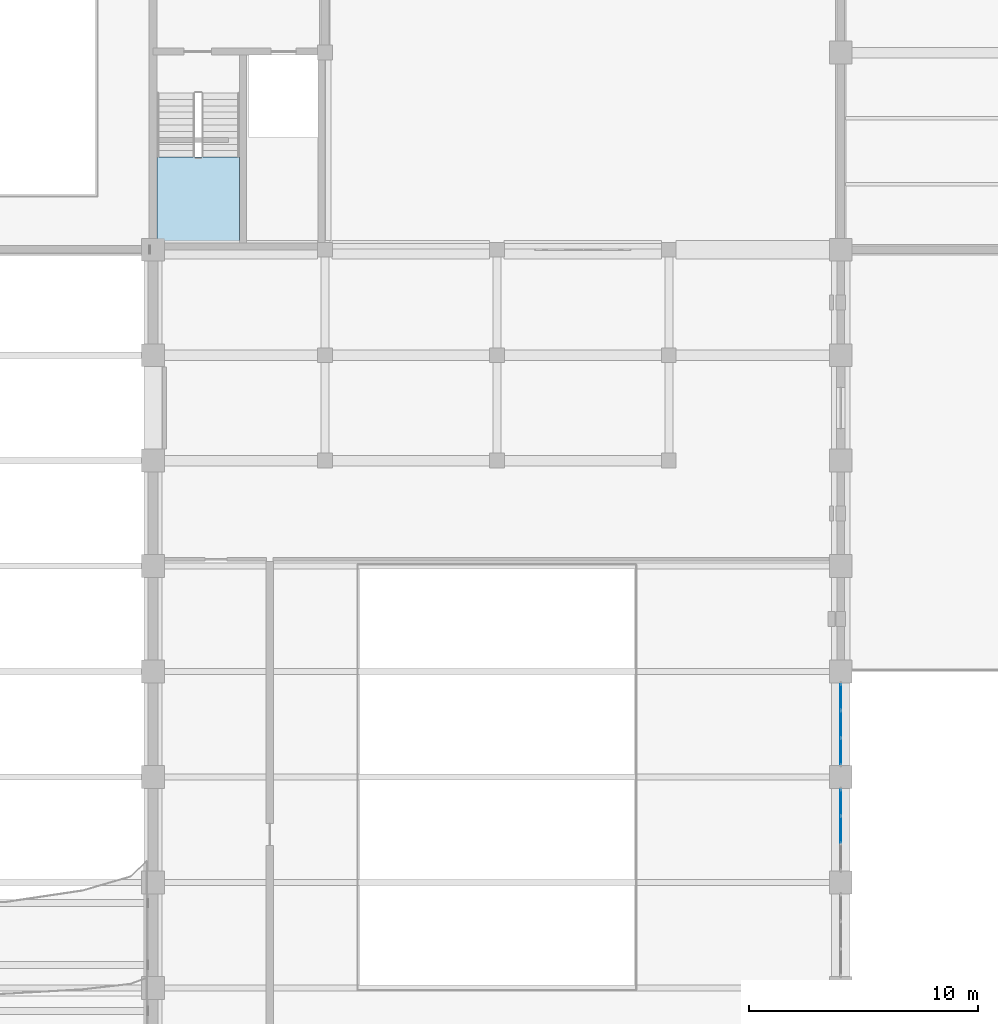
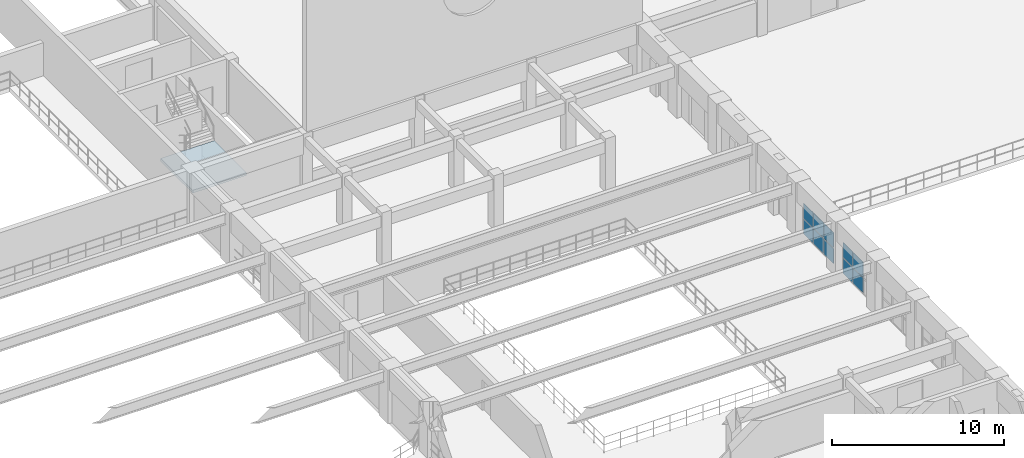
# One storey, part 46 of 74: 10 plates, 1 slab, 3 elements without a shape of their own.
"""IFC4 building model written with IfcOpenShell, lengths in metres."""

from ifc_helpers import new_model, si_unit, direction, frame, origin, origin_2d, place, context, subcontext, project, spatial, polyline, rectangle, outline, extrude, material, layer, layer_set, type_object, element, aggregate, save


model = new_model("IFC4")

# Units and contexts
model_context = context("Model", 3, precision=1e-05, world=origin(), true_north=direction((0.0, 1.0)))
body_context = subcontext(model_context, "Body", "Model", "MODEL_VIEW")
ifc_project = project(units=[si_unit("LENGTHUNIT", "METRE"), si_unit("AREAUNIT", "SQUARE_METRE"), si_unit("VOLUMEUNIT", "CUBIC_METRE"), si_unit("PLANEANGLEUNIT", "RADIAN"), si_unit("MASSUNIT", "GRAM", prefix="KILO")], contexts=[model_context])

# Site, building, storey
site_placement = place(None, origin())
site = spatial("IfcSite", under=ifc_project, at=site_placement, CompositionType="ELEMENT")
building_placement = place(site_placement, origin())
building = spatial("IfcBuilding", under=site, at=building_placement, Name="Muzn Square Opera House", CompositionType="ELEMENT")
storey_placement = place(building_placement, frame((0.0, 0.0, 14.199951171875)))
storey = spatial("IfcBuildingStorey", under=building, at=storey_placement, Name="L03", CompositionType="ELEMENT", Elevation=14.199951171875)

# Curtain wall, plates
ifc_material_1 = material(Name="Low-E laminated acoustic double glazing", Category="glass")
ifc_layer_1 = layer(ifc_material_1, 0.159912109375, Name="Low-E laminated acoustic double glazing", Category="glass")
ifc_layer_set_1 = layer_set([ifc_layer_1], Name="Low-E laminated acoustic double glazing")
curtain_wall_type = type_object("IfcCurtainWallType", Name="Glazed Curtain Wall EastVaultCourt 3600x2300", PredefinedType="USERDEFINED", material=ifc_layer_set_1)
curtain_wall_1_placement = place(storey_placement, origin())
curtain_wall_1 = element("IfcCurtainWall", 1, at=curtain_wall_1_placement, inside=storey, type_object=curtain_wall_type, Name="Glazed Curtain Wall CW-L03-066", ObjectType="GLAZED CURTAIN WALL", PredefinedType="USERDEFINED")
ifc_layer_2 = layer(ifc_material_1, 0.028076171875, Name="Low-E laminated acoustic double glazing", Category="glass")
ifc_layer_set_2 = layer_set([ifc_layer_2], Name="Low-E laminated acoustic double glazing")
plate_type = type_object("IfcPlateType", Name="Curtain Wall Acoustic Glazed Panel 28mm", PredefinedType="CURTAIN_PANEL", material=ifc_layer_set_2)
plate_1_placement = place(storey_placement, frame((133.0, 47.300048828125, 0.06005859375), z_axis=(0.0, 0.0, 1.0), x_axis=(0.0, 1.0, 0.0)))
plate_1 = element("IfcPlate", 2, at=plate_1_placement, type_object=plate_type, Name="CW-EVC-36x23 panel 2.1", PredefinedType="CURTAIN_PANEL", context=body_context, shape_type="SweptSolid", body=[
    extrude(rectangle(XDim=1.139892578125, YDim=0.028076171875, at=origin_2d()), origin(), (0.0, 0.0, 1.0), 1.06005859375),
])
plate_2_placement = place(storey_placement, frame((133.0, 47.300048828125, 1.179931640625), z_axis=(0.0, 0.0, 1.0), x_axis=(0.0, 1.0, 0.0)))
plate_2 = element("IfcPlate", 3, at=plate_2_placement, type_object=plate_type, Name="CW-EVC-36x23 panel 2.2", PredefinedType="CURTAIN_PANEL", context=body_context, shape_type="SweptSolid", body=[
    extrude(rectangle(XDim=1.139892578125, YDim=0.028076171875, at=origin_2d()), origin(), (0.0, 0.0, 1.0), 1.06005859375),
])
plate_3_placement = place(storey_placement, frame((133.0, 48.485107421875, 0.06005859375), z_axis=(0.0, 0.0, 1.0), x_axis=(0.0, 1.0, 0.0)))
plate_3 = element("IfcPlate", 4, at=plate_3_placement, type_object=plate_type, Name="CW-EVC-36x23 panel 3.1", PredefinedType="CURTAIN_PANEL", context=body_context, shape_type="SweptSolid", body=[
    extrude(rectangle(XDim=1.110107421875, YDim=0.028076171875, at=origin_2d()), origin(), (0.0, 0.0, 1.0), 1.06005859375),
])
plate_4_placement = place(storey_placement, frame((133.0, 48.485107421875, 1.179931640625), z_axis=(0.0, 0.0, 1.0), x_axis=(0.0, 1.0, 0.0)))
plate_4 = element("IfcPlate", 5, at=plate_4_placement, type_object=plate_type, Name="CW-EVC-36x23 panel 3.2", PredefinedType="CURTAIN_PANEL", context=body_context, shape_type="SweptSolid", body=[
    extrude(rectangle(XDim=1.110107421875, YDim=0.028076171875, at=origin_2d()), origin(), (0.0, 0.0, 1.0), 1.06005859375),
])
aggregate(curtain_wall_1, [plate_1, plate_2, plate_3, plate_4])

curtain_wall_2_placement = place(storey_placement, origin())
curtain_wall_2 = element("IfcCurtainWall", 6, at=curtain_wall_2_placement, inside=storey, type_object=curtain_wall_type, Name="Glazed Curtain Wall CW-L03-068", ObjectType="GLAZED CURTAIN WALL", PredefinedType="USERDEFINED")
plate_5_placement = place(storey_placement, frame((133.0, 50.715087890625, 0.06005859375), z_axis=(0.0, 0.0, 1.0), x_axis=(0.0, 1.0, 0.0)))
plate_5 = element("IfcPlate", 7, at=plate_5_placement, type_object=plate_type, Name="CW-EVC-36x23 panel 1.1", PredefinedType="CURTAIN_PANEL", context=body_context, shape_type="SweptSolid", body=[
    extrude(rectangle(XDim=1.110107421875, YDim=0.028076171875, at=origin_2d()), origin(), (0.0, 0.0, 1.0), 1.06005859375),
])
plate_6_placement = place(storey_placement, frame((133.0, 50.715087890625, 1.179931640625), z_axis=(0.0, 0.0, 1.0), x_axis=(0.0, 1.0, 0.0)))
plate_6 = element("IfcPlate", 8, at=plate_6_placement, type_object=plate_type, Name="CW-EVC-36x23 panel 1.2", PredefinedType="CURTAIN_PANEL", context=body_context, shape_type="SweptSolid", body=[
    extrude(rectangle(XDim=1.110107421875, YDim=0.028076171875, at=origin_2d()), origin(), (0.0, 0.0, 1.0), 1.06005859375),
])
plate_7_placement = place(storey_placement, frame((133.0, 51.89990234375, 0.06005859375), z_axis=(0.0, 0.0, 1.0), x_axis=(0.0, 1.0, 0.0)))
plate_7 = element("IfcPlate", 9, at=plate_7_placement, type_object=plate_type, Name="CW-EVC-36x23 panel 2.1", PredefinedType="CURTAIN_PANEL", context=body_context, shape_type="SweptSolid", body=[
    extrude(rectangle(XDim=1.139892578125, YDim=0.028076171875, at=origin_2d()), origin(), (0.0, 0.0, 1.0), 1.06005859375),
])
plate_8_placement = place(storey_placement, frame((133.0, 51.89990234375, 1.179931640625), z_axis=(0.0, 0.0, 1.0), x_axis=(0.0, 1.0, 0.0)))
plate_8 = element("IfcPlate", 10, at=plate_8_placement, type_object=plate_type, Name="CW-EVC-36x23 panel 2.2", PredefinedType="CURTAIN_PANEL", context=body_context, shape_type="SweptSolid", body=[
    extrude(rectangle(XDim=1.139892578125, YDim=0.028076171875, at=origin_2d()), origin(), (0.0, 0.0, 1.0), 1.06005859375),
])
plate_9_placement = place(storey_placement, frame((133.0, 53.0849609375, 0.06005859375), z_axis=(0.0, 0.0, 1.0), x_axis=(0.0, 1.0, 0.0)))
plate_9 = element("IfcPlate", 11, at=plate_9_placement, type_object=plate_type, Name="CW-EVC-36x23 panel 3.1", PredefinedType="CURTAIN_PANEL", context=body_context, shape_type="SweptSolid", body=[
    extrude(rectangle(XDim=1.110107421875, YDim=0.028076171875, at=origin_2d()), origin(), (0.0, 0.0, 1.0), 1.06005859375),
])
plate_10_placement = place(storey_placement, frame((133.0, 53.0849609375, 1.179931640625), z_axis=(0.0, 0.0, 1.0), x_axis=(0.0, 1.0, 0.0)))
plate_10 = element("IfcPlate", 12, at=plate_10_placement, type_object=plate_type, Name="CW-EVC-36x23 panel 3.2", PredefinedType="CURTAIN_PANEL", context=body_context, shape_type="SweptSolid", body=[
    extrude(rectangle(XDim=1.110107421875, YDim=0.028076171875, at=origin_2d()), origin(), (0.0, 0.0, 1.0), 1.06005859375),
])
aggregate(curtain_wall_2, [plate_5, plate_6, plate_7, plate_8, plate_9, plate_10])

# Stair, slab
ifc_material_2 = material(Name="Concrete C40/50", Category="concrete")
stair_type = type_object("IfcStairType", Name="Core Escape Dogleg Stair", PredefinedType="HALF_TURN_STAIR", material=ifc_material_2)
stair_placement = place(storey_placement, origin())
stair = element("IfcStair", 13, at=stair_placement, inside=storey, type_object=stair_type, Name="L03 Escape Stair ST-2", PredefinedType="HALF_TURN_STAIR")
ifc_layer_3 = layer(ifc_material_2, 0.199951171875, Name="Concrete C40/50", Category="concrete")
ifc_layer_set_3 = layer_set([ifc_layer_3], Name="Concrete C40/50")
slab_type = type_object("IfcSlabType", Name="Stair Half Landing 200mm", PredefinedType="LANDING", material=ifc_layer_set_3)
slab_placement = place(storey_placement, frame((0.0, 0.0, 1.699951171875)))
slab = element("IfcSlab", 14, at=slab_placement, type_object=slab_type, Name="ST-2 landing 1", PredefinedType="LANDING", context=body_context, shape_type="SweptSolid", body=[
    extrude(outline(polyline([(103.169921875, 76.639892578125), (103.169921875, 72.89990234375), (106.77001953125, 72.89990234375), (106.77001953125, 76.639892578125), (103.169921875, 76.639892578125)])), origin(), (0.0, 0.0, 1.0), 0.2001953125),
])
aggregate(stair, [slab])

save(model, "model.ifc")
